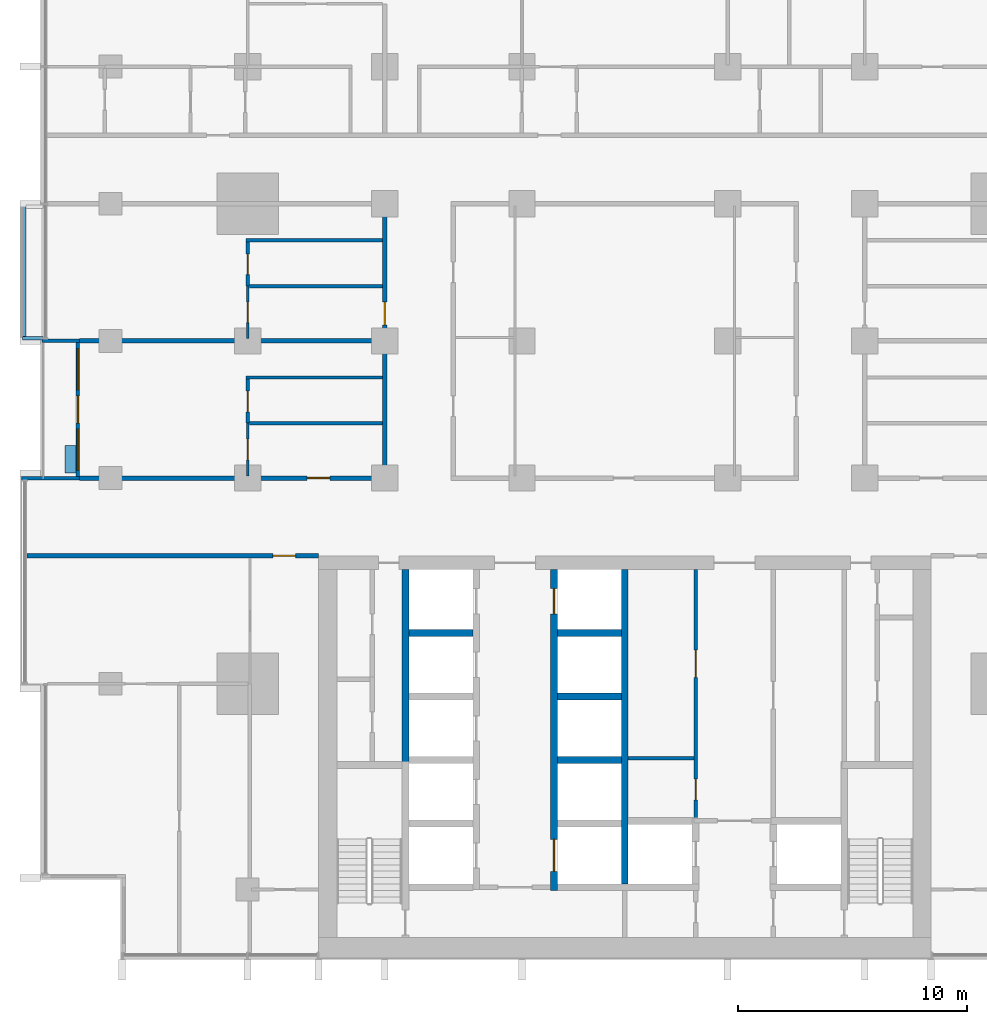
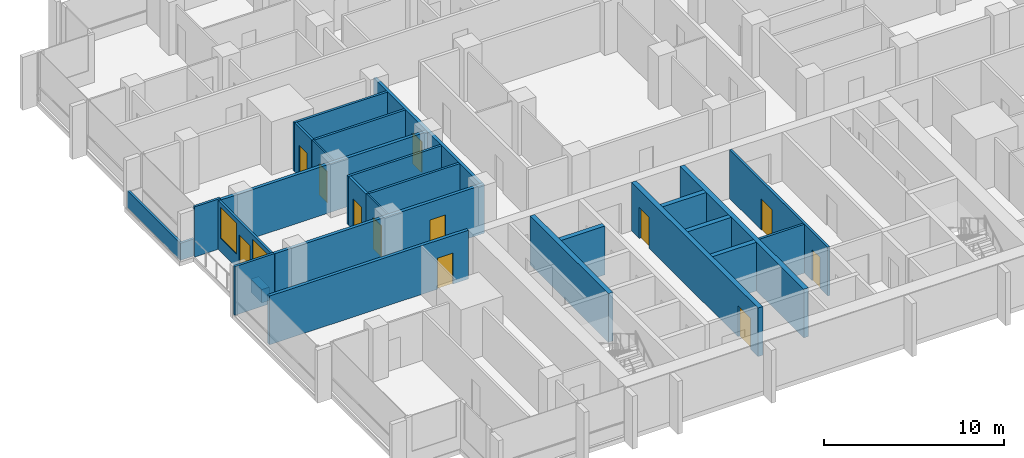
# One storey, part 8 of 17: 27 walls, 12 doors, 2 windows, 14 openings.
"""IFC4 building model written with IfcOpenShell, lengths in metres."""

from ifc_helpers import new_model, si_unit, direction, frame, frame_2d, origin, place, context, subcontext, project, spatial, rectangle, extrude, material, layer, layer_set, type_object, element, fill, save


model = new_model("IFC4")

# Units and contexts
model_context = context("Model", 3, precision=1e-05, world=origin(), true_north=direction((0.0, 1.0)))
body_context = subcontext(model_context, "Body", "Model", "MODEL_VIEW")
ifc_project = project(units=[si_unit("LENGTHUNIT", "METRE"), si_unit("AREAUNIT", "SQUARE_METRE"), si_unit("VOLUMEUNIT", "CUBIC_METRE"), si_unit("PLANEANGLEUNIT", "RADIAN"), si_unit("MASSUNIT", "GRAM", prefix="KILO")], contexts=[model_context])

# Site, building, storey
site_placement = place(None, origin())
site = spatial("IfcSite", under=ifc_project, at=site_placement, CompositionType="ELEMENT")
building_placement = place(site_placement, origin())
building = spatial("IfcBuilding", under=site, at=building_placement, Name="Finial Court Residences", CompositionType="ELEMENT")
storey_placement = place(building_placement, frame((0.0, 0.0, 99.10009765625)))
storey = spatial("IfcBuildingStorey", under=building, at=storey_placement, Name="L24", CompositionType="ELEMENT", Elevation=99.10009765625)

# Walls
ifc_material_1 = material(Name="Gypsum board")
ifc_layer_1 = layer(ifc_material_1, 0.02490234375)
ifc_material_2 = material(Name="Acoustic mineral wool in double frame")
ifc_layer_2 = layer(ifc_material_2, 0.14990234375)
ifc_layer_3 = layer(ifc_material_1, 0.02490234375)
ifc_layer_set_1 = layer_set([ifc_layer_1, ifc_layer_2, ifc_layer_3], Name="Acoustic party wall 200, 1 hour")
wall_type_1 = type_object("IfcWallType", Name="Acoustic party wall 200, 1 hour", PredefinedType="PARTITIONING", material=ifc_layer_set_1)
wall_1_placement = place(storey_placement, frame((-23.85009765625, 1.5, 0.0), z_axis=(0.0, 0.0, 1.0), x_axis=(1.0, 0.0, 0.0)))
element("IfcWall", 1, at=wall_1_placement, inside=storey, type_object=wall_type_1, Name="Partition L24-016", PredefinedType="PARTITIONING", context=body_context, shape_type="SweptSolid", body=[
    extrude(rectangle(XDim=13.25, YDim=0.199951171875, at=frame_2d((6.625, 0.0))), origin(), (0.0, 0.0, 1.0), 3.2998046875),
])
ifc_material_3 = material(Name="Fire-rated gypsum board partition")
ifc_layer_4 = layer(ifc_material_3, 0.14990234375)
ifc_layer_set_2 = layer_set([ifc_layer_4], Name="Core room partition 150 EI 60")
wall_type_2 = type_object("IfcWallType", Name="Core room partition 150 EI 60", PredefinedType="PARTITIONING", material=ifc_layer_set_2)
wall_2_placement = place(storey_placement, frame((0.14990234375, -16.75, 0.0), z_axis=(0.0, 0.0, 1.0), x_axis=(1.0, 0.0, 0.0)))
element("IfcWall", 2, at=wall_2_placement, inside=storey, type_object=wall_type_2, Name="Core partition L24-14", PredefinedType="PARTITIONING", context=body_context, shape_type="SweptSolid", body=[
    extrude(rectangle(XDim=2.875, YDim=0.14990234375, at=frame_2d((1.4375, 0.0))), origin(), (0.0, 0.0, 1.0), 3.2998046875),
])

# Wall, openings, doors
wall_3_placement = place(storey_placement, frame((3.10009765625, -19.39990234375, 0.0), z_axis=(0.0, 0.0, 1.0), x_axis=(0.0, 1.0, 0.0)))
wall_3 = element("IfcWall", 3, at=wall_3_placement, inside=storey, type_object=wall_type_2, Name="Core partition L24-31", PredefinedType="PARTITIONING", context=body_context, shape_type="SweptSolid", body=[
    extrude(rectangle(XDim=10.89990234375, YDim=0.14990234375, at=frame_2d((5.449951171875, 0.0))), origin(), (0.0, 0.0, 1.0), 3.2998046875),
])
opening_1_placement = place(wall_3_placement, frame((0.824951171875, 0.0, 0.0)))
opening_1 = element("IfcOpeningElement", 4, at=opening_1_placement, cuts=wall_3, Name="Opening L24-C14", PredefinedType="OPENING", context=body_context, shape_type="SweptSolid", body=[
    extrude(rectangle(XDim=0.89990234375, YDim=2.10009765625, at=frame_2d((0.449951171875, 1.050048828125))), frame((0.0, 0.0849609375, 0.0), z_axis=(0.0, -1.0, 0.0), x_axis=(1.0, 0.0, 0.0)), (0.0, 0.0, 1.0), 0.169921875),
])
opening_2_placement = place(wall_3_placement, frame((6.175048828125, 0.0, 0.0)))
opening_2 = element("IfcOpeningElement", 5, at=opening_2_placement, cuts=wall_3, Name="Opening L24-C15", PredefinedType="OPENING", context=body_context, shape_type="SweptSolid", body=[
    extrude(rectangle(XDim=1.199951171875, YDim=2.10009765625, at=frame_2d((0.60009765625, 1.050048828125))), frame((0.0, 0.0849609375, 0.0), z_axis=(0.0, -1.0, 0.0), x_axis=(1.0, 0.0, 0.0)), (0.0, 0.0, 1.0), 0.169921875),
])
ifc_material_4 = material(Name="Steel fire door", Category="steel")
door_type_1 = type_object("IfcDoorType", Name="Core room door 1200 x 2100 EI 60", OperationType="NOTDEFINED", PredefinedType="DOOR", material=ifc_material_4)
door_1_placement = place(opening_2_placement, origin())
door_1 = element("IfcDoor", 6, at=door_1_placement, inside=storey, type_object=door_type_1, Name="Core room door L24-C15", OperationType="SINGLE_SWING_LEFT", OverallHeight=2.10009765625, OverallWidth=1.199951171875, PredefinedType="DOOR", context=body_context, shape_type="SweptSolid", body=[
    extrude(rectangle(XDim=1.199951171875, YDim=2.10009765625, at=frame_2d((0.60009765625, 1.050048828125))), frame((0.0, 0.02490234375, 0.0), z_axis=(0.0, -1.0, 0.0), x_axis=(1.0, 0.0, 0.0)), (0.0, 0.0, 1.0), 0.050048828125),
])
fill(opening_2, door_1)
door_type_2 = type_object("IfcDoorType", Name="Core room door 900 x 2100 EI 60", OperationType="NOTDEFINED", PredefinedType="DOOR", material=ifc_material_4)
door_2_placement = place(opening_1_placement, origin())
door_2 = element("IfcDoor", 7, at=door_2_placement, inside=storey, type_object=door_type_2, Name="Core room door L24-C14", OperationType="SINGLE_SWING_LEFT", OverallHeight=2.10009765625, OverallWidth=0.89990234375, PredefinedType="DOOR", context=body_context, shape_type="SweptSolid", body=[
    extrude(rectangle(XDim=0.89990234375, YDim=2.10009765625, at=frame_2d((0.449951171875, 1.050048828125))), frame((0.0, 0.02490234375, 0.0), z_axis=(0.0, -1.0, 0.0), x_axis=(1.0, 0.0, 0.0)), (0.0, 0.0, 1.0), 0.050048828125),
])
fill(opening_1, door_2)

# Wall, opening, door
ifc_layer_5 = layer(ifc_material_1, 0.02490234375)
ifc_layer_6 = layer(ifc_material_2, 0.14990234375)
ifc_layer_7 = layer(ifc_material_1, 0.02490234375)
ifc_layer_set_3 = layer_set([ifc_layer_5, ifc_layer_6, ifc_layer_7], Name="Corridor wall 200, 1 hour")
wall_type_3 = type_object("IfcWallType", Name="Corridor wall 200, 1 hour", PredefinedType="PARTITIONING", material=ifc_layer_set_3)
wall_4_placement = place(storey_placement, frame((-26.14990234375, -7.89990234375, 0.0), z_axis=(0.0, 0.0, 1.0), x_axis=(1.0, 0.0, 0.0)))
wall_4 = element("IfcWall", 8, at=wall_4_placement, inside=storey, type_object=wall_type_3, Name="Partition L24-007", PredefinedType="PARTITIONING", context=body_context, shape_type="SweptSolid", body=[
    extrude(rectangle(XDim=12.75, YDim=0.199951171875, at=frame_2d((6.375, 0.0))), origin(), (0.0, 0.0, 1.0), 3.2998046875),
])
opening_3_placement = place(wall_4_placement, frame((10.75, 0.0, 0.0)))
opening_3 = element("IfcOpeningElement", 9, at=opening_3_placement, cuts=wall_4, Name="Opening L24-D005", PredefinedType="OPENING", context=body_context, shape_type="SweptSolid", body=[
    extrude(rectangle(XDim=1.0, YDim=2.10009765625, at=frame_2d((0.5, 1.050048828125))), frame((0.0, 0.10986328125, 0.0), z_axis=(0.0, -1.0, 0.0), x_axis=(1.0, 0.0, 0.0)), (0.0, 0.0, 1.0), 0.219970703125),
])
ifc_material_5 = material(Name="Timber door leaf in hollow metal frame", Category="wood")
door_type_3 = type_object("IfcDoorType", Name="Fire door set 1000 x 2100, 30 minutes", OperationType="SINGLE_SWING_LEFT", PredefinedType="DOOR", material=ifc_material_5)
door_3_placement = place(opening_3_placement, origin())
door_3 = element("IfcDoor", 10, at=door_3_placement, inside=storey, type_object=door_type_3, Name="Door L24-D005", OperationType="SINGLE_SWING_RIGHT", OverallHeight=2.10009765625, OverallWidth=1.0, PredefinedType="DOOR", context=body_context, shape_type="SweptSolid", body=[
    extrude(rectangle(XDim=1.0, YDim=2.10009765625, at=frame_2d((0.5, 1.050048828125))), frame((0.0, 0.02490234375, 0.0), z_axis=(0.0, -1.0, 0.0), x_axis=(1.0, 0.0, 0.0)), (0.0, 0.0, 1.0), 0.050048828125),
])
fill(opening_3, door_3)

wall_5_placement = place(storey_placement, frame((-23.85009765625, -4.5, 0.0), z_axis=(0.0, 0.0, 1.0), x_axis=(1.0, 0.0, 0.0)))
wall_5 = element("IfcWall", 11, at=wall_5_placement, inside=storey, type_object=wall_type_3, Name="Partition L24-009", PredefinedType="PARTITIONING", context=body_context, shape_type="SweptSolid", body=[
    extrude(rectangle(XDim=13.4501953125, YDim=0.199951171875, at=frame_2d((6.72509765625, 0.0))), origin(), (0.0, 0.0, 1.0), 3.2998046875),
])
opening_4_placement = place(wall_5_placement, frame((9.949951171875, 0.0, 0.0)))
opening_4 = element("IfcOpeningElement", 12, at=opening_4_placement, cuts=wall_5, Name="Opening L24-D007", PredefinedType="OPENING", context=body_context, shape_type="SweptSolid", body=[
    extrude(rectangle(XDim=1.0, YDim=2.10009765625, at=frame_2d((0.5, 1.050048828125))), frame((0.0, 0.10986328125, 0.0), z_axis=(0.0, -1.0, 0.0), x_axis=(1.0, 0.0, 0.0)), (0.0, 0.0, 1.0), 0.219970703125),
])
door_4_placement = place(opening_4_placement, origin())
door_4 = element("IfcDoor", 13, at=door_4_placement, inside=storey, type_object=door_type_3, Name="Door L24-D007", OperationType="SINGLE_SWING_LEFT", OverallHeight=2.10009765625, OverallWidth=1.0, PredefinedType="DOOR", context=body_context, shape_type="SweptSolid", body=[
    extrude(rectangle(XDim=1.0, YDim=2.10009765625, at=frame_2d((0.5, 1.050048828125))), frame((0.0, 0.02490234375, 0.0), z_axis=(0.0, -1.0, 0.0), x_axis=(1.0, 0.0, 0.0)), (0.0, 0.0, 1.0), 0.050048828125),
])
fill(opening_4, door_4)

wall_6_placement = place(storey_placement, frame((-10.5, -4.39990234375, 0.0), z_axis=(0.0, 0.0, 1.0), x_axis=(0.0, 1.0, 0.0)))
wall_6 = element("IfcWall", 14, at=wall_6_placement, inside=storey, type_object=wall_type_3, Name="Partition L24-053", PredefinedType="PARTITIONING", context=body_context, shape_type="SweptSolid", body=[
    extrude(rectangle(XDim=11.7998046875, YDim=0.199951171875, at=frame_2d((5.89990234375, 0.0))), origin(), (0.0, 0.0, 1.0), 3.2998046875),
])
opening_5_placement = place(wall_6_placement, frame((6.60009765625, 0.0, 0.0)))
opening_5 = element("IfcOpeningElement", 15, at=opening_5_placement, cuts=wall_6, Name="Opening L24-D031", PredefinedType="OPENING", context=body_context, shape_type="SweptSolid", body=[
    extrude(rectangle(XDim=1.0, YDim=2.10009765625, at=frame_2d((0.5, 1.050048828125))), frame((0.0, 0.10986328125, 0.0), z_axis=(0.0, -1.0, 0.0), x_axis=(1.0, 0.0, 0.0)), (0.0, 0.0, 1.0), 0.219970703125),
])
door_5_placement = place(opening_5_placement, origin())
door_5 = element("IfcDoor", 16, at=door_5_placement, inside=storey, type_object=door_type_3, Name="Door L24-D031", OperationType="SINGLE_SWING_LEFT", OverallHeight=2.10009765625, OverallWidth=1.0, PredefinedType="DOOR", context=body_context, shape_type="SweptSolid", body=[
    extrude(rectangle(XDim=1.0, YDim=2.10009765625, at=frame_2d((0.5, 1.050048828125))), frame((0.0, 0.02490234375, 0.0), z_axis=(0.0, -1.0, 0.0), x_axis=(1.0, 0.0, 0.0)), (0.0, 0.0, 1.0), 0.050048828125),
])
fill(opening_5, door_5)

ifc_layer_8 = layer(ifc_material_1, 0.012451171875)
ifc_material_6 = material(Name="Mineral wool in light-gauge frame")
ifc_layer_9 = layer(ifc_material_6, 0.074951171875)
ifc_layer_10 = layer(ifc_material_1, 0.012451171875)
ifc_layer_set_4 = layer_set([ifc_layer_8, ifc_layer_9, ifc_layer_10], Name="Gypsum board partition 100")
wall_type_4 = type_object("IfcWallType", Name="Gypsum board partition 100", PredefinedType="PARTITIONING", material=ifc_layer_set_4)
wall_7_placement = place(storey_placement, frame((-16.5, -4.39990234375, 0.0), z_axis=(0.0, 0.0, 1.0), x_axis=(0.0, 1.0, 0.0)))
wall_7 = element("IfcWall", 17, at=wall_7_placement, inside=storey, type_object=wall_type_4, Name="Partition L24-045", PredefinedType="PARTITIONING", context=body_context, shape_type="SweptSolid", body=[
    extrude(rectangle(XDim=2.2998046875, YDim=0.10009765625, at=frame_2d((1.14990234375, 0.0))), origin(), (0.0, 0.0, 1.0), 3.2998046875),
])
opening_6_placement = place(wall_7_placement, frame((0.699951171875, 0.0, 0.0)))
opening_6 = element("IfcOpeningElement", 18, at=opening_6_placement, cuts=wall_7, Name="Opening L24-D025", PredefinedType="OPENING", context=body_context, shape_type="SweptSolid", body=[
    extrude(rectangle(XDim=0.89990234375, YDim=2.10009765625, at=frame_2d((0.449951171875, 1.050048828125))), frame((0.0, 0.06005859375, 0.0), z_axis=(0.0, -1.0, 0.0), x_axis=(1.0, 0.0, 0.0)), (0.0, 0.0, 1.0), 0.1201171875),
])
ifc_material_7 = material(Name="Timber door leaf in timber frame", Category="wood")
door_type_4 = type_object("IfcDoorType", Name="Door set 900 x 2100", OperationType="SINGLE_SWING_LEFT", PredefinedType="DOOR", material=ifc_material_7)
door_6_placement = place(opening_6_placement, origin())
door_6 = element("IfcDoor", 19, at=door_6_placement, inside=storey, type_object=door_type_4, Name="Door L24-D025", OperationType="SINGLE_SWING_RIGHT", OverallHeight=2.10009765625, OverallWidth=0.89990234375, PredefinedType="DOOR", context=body_context, shape_type="SweptSolid", body=[
    extrude(rectangle(XDim=0.89990234375, YDim=2.10009765625, at=frame_2d((0.449951171875, 1.050048828125))), frame((0.0, 0.02490234375, 0.0), z_axis=(0.0, -1.0, 0.0), x_axis=(1.0, 0.0, 0.0)), (0.0, 0.0, 1.0), 0.050048828125),
])
fill(opening_6, door_6)

wall_8_placement = place(storey_placement, frame((-16.5, 1.60009765625, 0.0), z_axis=(0.0, 0.0, 1.0), x_axis=(0.0, 1.0, 0.0)))
wall_8 = element("IfcWall", 20, at=wall_8_placement, inside=storey, type_object=wall_type_4, Name="Partition L24-046", PredefinedType="PARTITIONING", context=body_context, shape_type="SweptSolid", body=[
    extrude(rectangle(XDim=2.2998046875, YDim=0.10009765625, at=frame_2d((1.14990234375, 0.0))), origin(), (0.0, 0.0, 1.0), 3.2998046875),
])
opening_7_placement = place(wall_8_placement, frame((0.699951171875, 0.0, 0.0)))
opening_7 = element("IfcOpeningElement", 21, at=opening_7_placement, cuts=wall_8, Name="Opening L24-D026", PredefinedType="OPENING", context=body_context, shape_type="SweptSolid", body=[
    extrude(rectangle(XDim=0.89990234375, YDim=2.10009765625, at=frame_2d((0.449951171875, 1.050048828125))), frame((0.0, 0.06005859375, 0.0), z_axis=(0.0, -1.0, 0.0), x_axis=(1.0, 0.0, 0.0)), (0.0, 0.0, 1.0), 0.1201171875),
])
door_7_placement = place(opening_7_placement, origin())
door_7 = element("IfcDoor", 22, at=door_7_placement, inside=storey, type_object=door_type_4, Name="Door L24-D026", OperationType="SINGLE_SWING_LEFT", OverallHeight=2.10009765625, OverallWidth=0.89990234375, PredefinedType="DOOR", context=body_context, shape_type="SweptSolid", body=[
    extrude(rectangle(XDim=0.89990234375, YDim=2.10009765625, at=frame_2d((0.449951171875, 1.050048828125))), frame((0.0, 0.02490234375, 0.0), z_axis=(0.0, -1.0, 0.0), x_axis=(1.0, 0.0, 0.0)), (0.0, 0.0, 1.0), 0.050048828125),
])
fill(opening_7, door_7)

# Walls
ifc_material_8 = material(Name="Moisture-resistant gypsum board")
ifc_layer_11 = layer(ifc_material_8, 0.012451171875)
ifc_layer_12 = layer(ifc_material_6, 0.125)
ifc_layer_13 = layer(ifc_material_8, 0.012451171875)
ifc_layer_set_5 = layer_set([ifc_layer_11, ifc_layer_12, ifc_layer_13], Name="Gypsum board wet-area partition 150")
wall_type_5 = type_object("IfcWallType", Name="Gypsum board wet-area partition 150", PredefinedType="PARTITIONING", material=ifc_layer_set_5)
wall_9_placement = place(storey_placement, frame((-16.425048828125, -2.10009765625, 0.0), z_axis=(0.0, 0.0, 1.0), x_axis=(1.0, 0.0, 0.0)))
element("IfcWall", 23, at=wall_9_placement, inside=storey, type_object=wall_type_5, Name="Partition L24-012", PredefinedType="PARTITIONING", context=body_context, shape_type="SweptSolid", body=[
    extrude(rectangle(XDim=5.824951171875, YDim=0.14990234375, at=frame_2d((2.91259765625, 0.0))), origin(), (0.0, 0.0, 1.0), 3.2998046875),
])
wall_10_placement = place(storey_placement, frame((-16.574951171875, -0.10009765625, 0.0), z_axis=(0.0, 0.0, 1.0), x_axis=(1.0, 0.0, 0.0)))
element("IfcWall", 24, at=wall_10_placement, inside=storey, type_object=wall_type_5, Name="Partition L24-014", PredefinedType="PARTITIONING", context=body_context, shape_type="SweptSolid", body=[
    extrude(rectangle(XDim=5.974853515625, YDim=0.14990234375, at=frame_2d((2.9873046875, 0.0))), origin(), (0.0, 0.0, 1.0), 3.2998046875),
])
wall_11_placement = place(storey_placement, frame((-16.425048828125, 3.89990234375, 0.0), z_axis=(0.0, 0.0, 1.0), x_axis=(1.0, 0.0, 0.0)))
element("IfcWall", 25, at=wall_11_placement, inside=storey, type_object=wall_type_5, Name="Partition L24-020", PredefinedType="PARTITIONING", context=body_context, shape_type="SweptSolid", body=[
    extrude(rectangle(XDim=5.824951171875, YDim=0.14990234375, at=frame_2d((2.91259765625, 0.0))), origin(), (0.0, 0.0, 1.0), 3.2998046875),
])
wall_12_placement = place(storey_placement, frame((-16.574951171875, 5.89990234375, 0.0), z_axis=(0.0, 0.0, 1.0), x_axis=(1.0, 0.0, 0.0)))
element("IfcWall", 26, at=wall_12_placement, inside=storey, type_object=wall_type_5, Name="Partition L24-022", PredefinedType="PARTITIONING", context=body_context, shape_type="SweptSolid", body=[
    extrude(rectangle(XDim=5.974853515625, YDim=0.14990234375, at=frame_2d((2.9873046875, 0.0))), origin(), (0.0, 0.0, 1.0), 3.2998046875),
])

# Wall, opening, door
wall_13_placement = place(storey_placement, frame((-16.5, -2.10009765625, 0.0), z_axis=(0.0, 0.0, 1.0), x_axis=(0.0, 1.0, 0.0)))
wall_13 = element("IfcWall", 27, at=wall_13_placement, inside=storey, type_object=wall_type_5, Name="Partition L24-048", PredefinedType="PARTITIONING", context=body_context, shape_type="SweptSolid", body=[
    extrude(rectangle(XDim=1.925048828125, YDim=0.14990234375, at=frame_2d((0.96240234375, 0.0))), origin(), (0.0, 0.0, 1.0), 3.2998046875),
])
opening_8_placement = place(wall_13_placement, frame((0.5, 0.0, 0.0)))
opening_8 = element("IfcOpeningElement", 28, at=opening_8_placement, cuts=wall_13, Name="Opening L24-D028", PredefinedType="OPENING", context=body_context, shape_type="SweptSolid", body=[
    extrude(rectangle(XDim=0.89990234375, YDim=2.10009765625, at=frame_2d((0.449951171875, 1.050048828125))), frame((0.0, 0.0849609375, 0.0), z_axis=(0.0, -1.0, 0.0), x_axis=(1.0, 0.0, 0.0)), (0.0, 0.0, 1.0), 0.169921875),
])
door_8_placement = place(opening_8_placement, origin())
door_8 = element("IfcDoor", 29, at=door_8_placement, inside=storey, type_object=door_type_4, Name="Door L24-D028", OperationType="SINGLE_SWING_LEFT", OverallHeight=2.10009765625, OverallWidth=0.89990234375, PredefinedType="DOOR", context=body_context, shape_type="SweptSolid", body=[
    extrude(rectangle(XDim=0.89990234375, YDim=2.10009765625, at=frame_2d((0.449951171875, 1.050048828125))), frame((0.0, 0.02490234375, 0.0), z_axis=(0.0, -1.0, 0.0), x_axis=(1.0, 0.0, 0.0)), (0.0, 0.0, 1.0), 0.050048828125),
])
fill(opening_8, door_8)

wall_14_placement = place(storey_placement, frame((-16.5, 3.89990234375, 0.0), z_axis=(0.0, 0.0, 1.0), x_axis=(0.0, 1.0, 0.0)))
wall_14 = element("IfcWall", 30, at=wall_14_placement, inside=storey, type_object=wall_type_5, Name="Partition L24-049", PredefinedType="PARTITIONING", context=body_context, shape_type="SweptSolid", body=[
    extrude(rectangle(XDim=1.925048828125, YDim=0.14990234375, at=frame_2d((0.96240234375, 0.0))), origin(), (0.0, 0.0, 1.0), 3.2998046875),
])
opening_9_placement = place(wall_14_placement, frame((0.5, 0.0, 0.0)))
opening_9 = element("IfcOpeningElement", 31, at=opening_9_placement, cuts=wall_14, Name="Opening L24-D029", PredefinedType="OPENING", context=body_context, shape_type="SweptSolid", body=[
    extrude(rectangle(XDim=0.89990234375, YDim=2.10009765625, at=frame_2d((0.449951171875, 1.050048828125))), frame((0.0, 0.0849609375, 0.0), z_axis=(0.0, -1.0, 0.0), x_axis=(1.0, 0.0, 0.0)), (0.0, 0.0, 1.0), 0.169921875),
])
door_9_placement = place(opening_9_placement, origin())
door_9 = element("IfcDoor", 32, at=door_9_placement, inside=storey, type_object=door_type_4, Name="Door L24-D029", OperationType="SINGLE_SWING_RIGHT", OverallHeight=2.10009765625, OverallWidth=0.89990234375, PredefinedType="DOOR", context=body_context, shape_type="SweptSolid", body=[
    extrude(rectangle(XDim=0.89990234375, YDim=2.10009765625, at=frame_2d((0.449951171875, 1.050048828125))), frame((0.0, 0.02490234375, 0.0), z_axis=(0.0, -1.0, 0.0), x_axis=(1.0, 0.0, 0.0)), (0.0, 0.0, 1.0), 0.050048828125),
])
fill(opening_9, door_9)

# Walls
ifc_material_9 = material(Name="Concrete C35/45", Category="concrete")
ifc_layer_14 = layer(ifc_material_9, 0.14990234375)
ifc_layer_set_6 = layer_set([ifc_layer_14], Name="Ledge parapet, Concrete C35/45 150")
wall_type_6 = type_object("IfcWallType", Name="Ledge parapet, Concrete C35/45 150", PredefinedType="PARAPET", material=ifc_layer_set_6)
wall_15_placement = place(storey_placement, frame((-25.4599609375, 1.625, 0.0), z_axis=(0.0, 0.0, 1.0), x_axis=(-1.0, 0.0, 0.0)))
element("IfcWall", 33, at=wall_15_placement, inside=storey, type_object=wall_type_6, Name="E-L24-LED1-P1", PredefinedType="PARAPET", context=body_context, shape_type="SweptSolid", body=[
    extrude(rectangle(XDim=0.89013671875, YDim=0.14990234375, at=frame_2d((0.445068359375, 0.0))), origin(), (0.0, 0.0, 1.0), 1.14990234375),
])
wall_16_placement = place(storey_placement, frame((-26.27490234375, 1.699951171875, 0.0), z_axis=(0.0, 0.0, 1.0), x_axis=(0.0, 1.0, 0.0)))
element("IfcWall", 34, at=wall_16_placement, inside=storey, type_object=wall_type_6, Name="E-L24-LED1-P2", PredefinedType="PARAPET", context=body_context, shape_type="SweptSolid", body=[
    extrude(rectangle(XDim=5.75, YDim=0.14990234375, at=frame_2d((2.875, 0.0))), origin(), (0.0, 0.0, 1.0), 1.14990234375),
])
ifc_material_10 = material(Name="Concrete C70/85", Category="concrete")
ifc_layer_15 = layer(ifc_material_10, 0.300048828125)
ifc_layer_set_7 = layer_set([ifc_layer_15], Name="Lift shaft and stair wall 300 Concrete C70/85")
wall_type_7 = type_object("IfcWallType", Name="Lift shaft and stair wall 300 Concrete C70/85", PredefinedType="SHEAR", material=ifc_layer_set_7)
for number, where, z_axis, x_axis, name in (
    (35, (-2.949951171875, -16.840087890625, 0.0), (0.0, 0.0, 1.0), (1.0, 0.0, 0.0), "Core wall L24-13"),
    (36, (-2.949951171875, -14.06005859375, 0.0), (0.0, 0.0, 1.0), (1.0, 0.0, 0.0), "Core wall L24-16"),
    (37, (-9.449951171875, -11.280029296875, 0.0), (0.0, 0.0, 1.0), (1.0, 0.0, 0.0), "Core wall L24-18"),
    (38, (-2.949951171875, -11.280029296875, 0.0), (0.0, 0.0, 1.0), (1.0, 0.0, 0.0), "Core wall L24-19"),
):
    element("IfcWall", number, at=place(storey_placement, frame(where, z_axis=z_axis, x_axis=x_axis)), inside=storey, type_object=wall_type_7, Name=name, PredefinedType="SHEAR", context=body_context, shape_type="SweptSolid", body=[
        extrude(rectangle(XDim=2.800048828125, YDim=0.300048828125, at=frame_2d((1.39990234375, 0.0))), origin(), (0.0, 0.0, 1.0), 3.2998046875),
    ])
wall_17_placement = place(storey_placement, frame((-9.60009765625, -17.199951171875, 0.0), z_axis=(0.0, 0.0, 1.0), x_axis=(0.0, 1.0, 0.0)))
element("IfcWall", 39, at=wall_17_placement, inside=storey, type_object=wall_type_7, Name="Core wall L24-24", PredefinedType="SHEAR", context=body_context, shape_type="SweptSolid", body=[
    extrude(rectangle(XDim=8.699951171875, YDim=0.300048828125, at=frame_2d((4.35009765625, 0.0))), origin(), (0.0, 0.0, 1.0), 3.2998046875),
])

# Wall, openings, doors
wall_18_placement = place(storey_placement, frame((-3.10009765625, -22.550048828125, 0.0), z_axis=(0.0, 0.0, 1.0), x_axis=(0.0, 1.0, 0.0)))
wall_18 = element("IfcWall", 40, at=wall_18_placement, inside=storey, type_object=wall_type_7, Name="Core wall L24-26", PredefinedType="SHEAR", context=body_context, shape_type="SweptSolid", body=[
    extrude(rectangle(XDim=14.050048828125, YDim=0.300048828125, at=frame_2d((7.02490234375, 0.0))), origin(), (0.0, 0.0, 1.0), 3.2998046875),
])
opening_10_placement = place(wall_18_placement, frame((12.110107421875, 0.0, 0.0)))
opening_10 = element("IfcOpeningElement", 41, at=opening_10_placement, cuts=wall_18, Name="Opening L24-LD08", PredefinedType="OPENING", context=body_context, shape_type="SweptSolid", body=[
    extrude(rectangle(XDim=1.10009765625, YDim=2.10009765625, at=frame_2d((0.550048828125, 1.050048828125))), frame((0.0, 0.159912109375, 0.0), z_axis=(0.0, -1.0, 0.0), x_axis=(1.0, 0.0, 0.0)), (0.0, 0.0, 1.0), 0.320068359375),
])
opening_11_placement = place(wall_18_placement, frame((0.840087890625, 0.0, 0.0)))
opening_11 = element("IfcOpeningElement", 42, at=opening_11_placement, cuts=wall_18, Name="Opening L24-LD09", PredefinedType="OPENING", context=body_context, shape_type="SweptSolid", body=[
    extrude(rectangle(XDim=1.39990234375, YDim=2.10009765625, at=frame_2d((0.699951171875, 1.050048828125))), frame((0.0, 0.159912109375, 0.0), z_axis=(0.0, -1.0, 0.0), x_axis=(1.0, 0.0, 0.0)), (0.0, 0.0, 1.0), 0.320068359375),
])
ifc_material_11 = material(Name="Stainless steel lift door", Category="steel")
door_type_5 = type_object("IfcDoorType", Name="Lift landing door 1100 x 2100 EI 90", OperationType="DOUBLE_DOOR_SLIDING", PredefinedType="DOOR", material=ifc_material_11)
door_10_placement = place(opening_10_placement, origin())
door_10 = element("IfcDoor", 43, at=door_10_placement, inside=storey, type_object=door_type_5, Name="Lift landing door LR6 L24", OperationType="DOUBLE_DOOR_SLIDING", OverallHeight=2.10009765625, OverallWidth=1.10009765625, PredefinedType="DOOR", context=body_context, shape_type="SweptSolid", body=[
    extrude(rectangle(XDim=1.10009765625, YDim=2.10009765625, at=frame_2d((0.550048828125, 1.050048828125))), frame((0.0, 0.02490234375, 0.0), z_axis=(0.0, -1.0, 0.0), x_axis=(1.0, 0.0, 0.0)), (0.0, 0.0, 1.0), 0.050048828125),
])
fill(opening_10, door_10)
door_type_6 = type_object("IfcDoorType", Name="Lift landing door 1400 x 2100 EI 90", OperationType="DOUBLE_DOOR_SLIDING", PredefinedType="DOOR", material=ifc_material_11)
door_11_placement = place(opening_11_placement, origin())
door_11 = element("IfcDoor", 44, at=door_11_placement, inside=storey, type_object=door_type_6, Name="Lift landing door SV1 L24", OperationType="DOUBLE_DOOR_SLIDING", OverallHeight=2.10009765625, OverallWidth=1.39990234375, PredefinedType="DOOR", context=body_context, shape_type="SweptSolid", body=[
    extrude(rectangle(XDim=1.39990234375, YDim=2.10009765625, at=frame_2d((0.699951171875, 1.050048828125))), frame((0.0, 0.02490234375, 0.0), z_axis=(0.0, -1.0, 0.0), x_axis=(1.0, 0.0, 0.0)), (0.0, 0.0, 1.0), 0.050048828125),
])
fill(opening_11, door_11)

# Walls
wall_19_placement = place(storey_placement, frame((0.0, -22.25, 0.0), z_axis=(0.0, 0.0, 1.0), x_axis=(0.0, 1.0, 0.0)))
element("IfcWall", 45, at=wall_19_placement, inside=storey, type_object=wall_type_7, Name="Core wall L24-28", PredefinedType="SHEAR", context=body_context, shape_type="SweptSolid", body=[
    extrude(rectangle(XDim=13.75, YDim=0.300048828125, at=frame_2d((6.875, 0.0))), origin(), (0.0, 0.0, 1.0), 3.2998046875),
])
ifc_material_12 = material(Name="Natural limestone", Category="masonry")
ifc_layer_16 = layer(ifc_material_12, 0.14990234375)
ifc_layer_set_8 = layer_set([ifc_layer_16], Name="Limestone clad wall 150")
wall_type_8 = type_object("IfcWallType", Name="Limestone clad wall 150", PredefinedType="SOLIDWALL", material=ifc_layer_set_8)
wall_20_placement = place(storey_placement, frame((-23.85009765625, -4.5, 0.0), z_axis=(0.0, 0.0, 1.0), x_axis=(-1.0, 0.0, 0.0)))
element("IfcWall", 46, at=wall_20_placement, inside=storey, type_object=wall_type_8, Name="E-L24-BALW3-P1", PredefinedType="SOLIDWALL", context=body_context, shape_type="SweptSolid", body=[
    extrude(rectangle(XDim=2.5498046875, YDim=0.14990234375, at=frame_2d((1.27490234375, 0.0))), origin(), (0.0, 0.0, 1.0), 3.2998046875),
])
wall_21_placement = place(storey_placement, frame((-23.85009765625, 1.5, 0.0), z_axis=(0.0, 0.0, 1.0), x_axis=(-1.0, 0.0, 0.0)))
element("IfcWall", 47, at=wall_21_placement, inside=storey, type_object=wall_type_8, Name="E-L24-BALW3-P2", PredefinedType="SOLIDWALL", context=body_context, shape_type="SweptSolid", body=[
    extrude(rectangle(XDim=1.64990234375, YDim=0.14990234375, at=frame_2d((0.824951171875, 0.0))), origin(), (0.0, 0.0, 1.0), 3.39990234375),
])

# Wall, openings, door, windows
wall_22_placement = place(storey_placement, frame((-23.925048828125, -4.425048828125, 0.0), z_axis=(0.0, 0.0, 1.0), x_axis=(0.0, 1.0, 0.0)))
wall_22 = element("IfcWall", 48, at=wall_22_placement, inside=storey, type_object=wall_type_8, Name="E-L24-L24-BALW3-W", PredefinedType="SOLIDWALL", context=body_context, shape_type="SweptSolid", body=[
    extrude(rectangle(XDim=5.85009765625, YDim=0.14990234375, at=frame_2d((2.925048828125, 0.0))), origin(), (0.0, 0.0, 1.0), 3.2998046875),
])
opening_12_placement = place(wall_22_placement, frame((2.324951171875, 0.0, 0.0)))
opening_12 = element("IfcOpeningElement", 49, at=opening_12_placement, cuts=wall_22, Name="Opening DE24-03", PredefinedType="OPENING", context=body_context, shape_type="SweptSolid", body=[
    extrude(rectangle(XDim=1.199951171875, YDim=2.39990234375, at=frame_2d((0.60009765625, 1.199951171875))), frame((0.0, 0.0849609375, 0.0), z_axis=(0.0, -1.0, 0.0), x_axis=(1.0, 0.0, 0.0)), (0.0, 0.0, 1.0), 0.169921875),
])
opening_13_placement = place(wall_22_placement, frame((0.262451171875, 0.0, 0.89990234375)))
opening_13 = element("IfcOpeningElement", 50, at=opening_13_placement, cuts=wall_22, Name="Opening WE24-12", PredefinedType="OPENING", context=body_context, shape_type="SweptSolid", body=[
    extrude(rectangle(XDim=1.800048828125, YDim=2.10009765625, at=frame_2d((0.89990234375, 1.050048828125))), frame((0.0, 0.0849609375, 0.0), z_axis=(0.0, -1.0, 0.0), x_axis=(1.0, 0.0, 0.0)), (0.0, 0.0, 1.0), 0.169921875),
])
opening_14_placement = place(wall_22_placement, frame((3.78759765625, 0.0, 0.89990234375)))
opening_14 = element("IfcOpeningElement", 51, at=opening_14_placement, cuts=wall_22, Name="Opening WE24-13", PredefinedType="OPENING", context=body_context, shape_type="SweptSolid", body=[
    extrude(rectangle(XDim=1.800048828125, YDim=2.10009765625, at=frame_2d((0.89990234375, 1.050048828125))), frame((0.0, 0.0849609375, 0.0), z_axis=(0.0, -1.0, 0.0), x_axis=(1.0, 0.0, 0.0)), (0.0, 0.0, 1.0), 0.169921875),
])
ifc_material_13 = material(Name="Bronze anodised aluminium", Category="aluminium")
door_type_7 = type_object("IfcDoorType", Name="Balcony door 1200 x 2400", OperationType="SINGLE_SWING_LEFT", PredefinedType="DOOR", material=ifc_material_13)
door_12_placement = place(opening_12_placement, origin())
door_12 = element("IfcDoor", 52, at=door_12_placement, inside=storey, type_object=door_type_7, Name="E-L24-L24-BALW3-W-D", OperationType="SINGLE_SWING_RIGHT", OverallHeight=2.39990234375, OverallWidth=1.199951171875, PredefinedType="DOOR", context=body_context, shape_type="SweptSolid", body=[
    extrude(rectangle(XDim=1.199951171875, YDim=2.39990234375, at=frame_2d((0.60009765625, 1.199951171875))), frame((0.0, 0.02490234375, 0.0), z_axis=(0.0, -1.0, 0.0), x_axis=(1.0, 0.0, 0.0)), (0.0, 0.0, 1.0), 0.050048828125),
])
fill(opening_12, door_12)
ifc_material_14 = material(Name="Clear low-e glass", Category="glass")
window_type = type_object("IfcWindowType", Name="Balcony window 1800 x 2100", PartitioningType="SINGLE_PANEL", PredefinedType="WINDOW", material=ifc_material_14)
window_1_placement = place(opening_13_placement, origin())
window_1 = element("IfcWindow", 53, at=window_1_placement, inside=storey, type_object=window_type, Name="E-L24-L24-BALW3-W-W1", OverallHeight=2.10009765625, OverallWidth=1.800048828125, PartitioningType="SINGLE_PANEL", PredefinedType="WINDOW", context=body_context, shape_type="SweptSolid", body=[
    extrude(rectangle(XDim=1.800048828125, YDim=2.10009765625, at=frame_2d((0.89990234375, 1.050048828125))), frame((0.0, 0.030029296875, 0.0), z_axis=(0.0, -1.0, 0.0), x_axis=(1.0, 0.0, 0.0)), (0.0, 0.0, 1.0), 0.06005859375),
])
fill(opening_13, window_1)
window_2_placement = place(opening_14_placement, origin())
window_2 = element("IfcWindow", 54, at=window_2_placement, inside=storey, type_object=window_type, Name="E-L24-L24-BALW3-W-W2", OverallHeight=2.10009765625, OverallWidth=1.800048828125, PartitioningType="SINGLE_PANEL", PredefinedType="WINDOW", context=body_context, shape_type="SweptSolid", body=[
    extrude(rectangle(XDim=1.800048828125, YDim=2.10009765625, at=frame_2d((0.89990234375, 1.050048828125))), frame((0.0, 0.030029296875, 0.0), z_axis=(0.0, -1.0, 0.0), x_axis=(1.0, 0.0, 0.0)), (0.0, 0.0, 1.0), 0.06005859375),
])
fill(opening_14, window_2)

# Wall
ifc_material_15 = material(Name="Concrete C40/50", Category="concrete")
ifc_layer_17 = layer(ifc_material_15, 0.10009765625)
ifc_material_16 = material(Name="Planting soil", Category="soil")
ifc_layer_18 = layer(ifc_material_16, 0.300048828125)
ifc_layer_19 = layer(ifc_material_15, 0.10009765625)
ifc_layer_set_9 = layer_set([ifc_layer_17, ifc_layer_18, ifc_layer_19], Name="Planter wall, balcony")
wall_type_9 = type_object("IfcWallType", Name="Planter wall, balcony", PredefinedType="USERDEFINED", material=ifc_layer_set_9)
wall_23_placement = place(storey_placement, frame((-24.25, -4.27490234375, 0.0), z_axis=(0.0, 0.0, 1.0), x_axis=(0.0, 1.0, 0.0)))
element("IfcWall", 55, at=wall_23_placement, inside=storey, type_object=wall_type_9, Name="E-L24-BALW3-PL", ObjectType="PLANTER", PredefinedType="USERDEFINED", context=body_context, shape_type="SweptSolid", body=[
    extrude(rectangle(XDim=1.199951171875, YDim=0.5, at=frame_2d((0.60009765625, 0.0))), origin(), (0.0, 0.0, 1.0), 0.89990234375),
])

save(model, "model.ifc")
